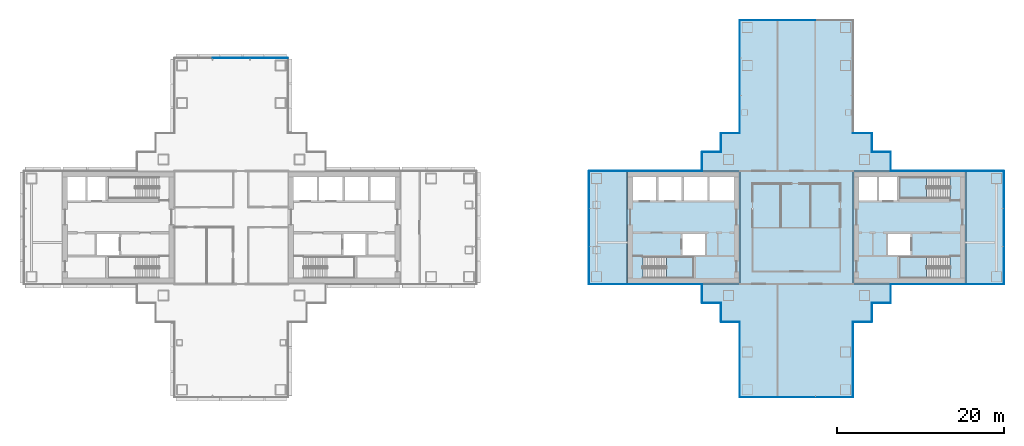
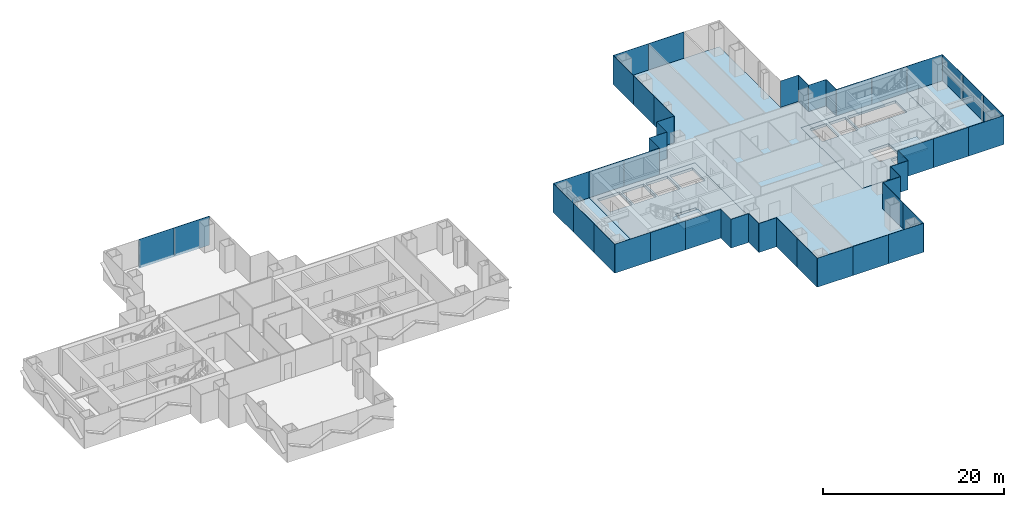
# One storey, part 10 of 18: 48 plates, 8 slabs, 23 elements without a shape of their own.
"""IFC4 building model written with IfcOpenShell, lengths in metres."""

from ifc_helpers import new_model, si_unit, direction, frame, origin, origin_2d, place, context, subcontext, project, spatial, polyline, rectangle, outline, extrude, material, layer, layer_set, type_object, element, aggregate, save


model = new_model("IFC4")

# Units and contexts
model_context = context("Model", 3, precision=1e-05, world=origin(), true_north=direction((0.0, 1.0)))
body_context = subcontext(model_context, "Body", "Model", "MODEL_VIEW")
ifc_project = project(units=[si_unit("LENGTHUNIT", "METRE"), si_unit("AREAUNIT", "SQUARE_METRE"), si_unit("VOLUMEUNIT", "CUBIC_METRE"), si_unit("PLANEANGLEUNIT", "RADIAN"), si_unit("MASSUNIT", "GRAM", prefix="KILO")], contexts=[model_context])

# Site, building, storey
site_placement = place(None, origin())
site = spatial("IfcSite", under=ifc_project, at=site_placement, CompositionType="ELEMENT")
building_placement = place(site_placement, origin())
building = spatial("IfcBuilding", under=site, at=building_placement, Name="Shamsa Quay Exchange Towers", CompositionType="ELEMENT")
storey_placement = place(building_placement, frame((0.0, 0.0, 117.0)))
storey = spatial("IfcBuildingStorey", under=building, at=storey_placement, Name="L27", CompositionType="ELEMENT", Elevation=117.0)

# Slabs
ifc_material_1 = material(Name="Concrete C50/60", Category="concrete")
ifc_layer_1 = layer(ifc_material_1, 0.35009765625)
ifc_layer_set_1 = layer_set([ifc_layer_1], Name="CORE FLOOR 350 C50/60")
slab_type_1 = type_object("IfcSlabType", Name="CORE FLOOR 350 C50/60", PredefinedType="FLOOR", material=ifc_layer_set_1)
slab_1_placement = place(storey_placement, frame((0.0, 0.0, -0.35009765625)))
element("IfcSlab", 1, at=slab_1_placement, inside=storey, type_object=slab_type_1, Name="Core floor T2A", PredefinedType="FLOOR", context=body_context, shape_type="SweptSolid", body=[
    extrude(outline(polyline([(13.5, -6.75), (27.0, -6.75), (27.0, 6.75), (13.5, 6.75), (13.5, -6.75)]), holes=[polyline([(15.400634765625, -6.050048828125), (15.400634765625, -3.5), (21.5, -3.5), (21.5, -6.050048828125), (15.400634765625, -6.050048828125)]), polyline([(14.199951171875, 3.25), (14.199951171875, 6.050048828125), (17.0, 6.050048828125), (17.0, 3.25), (14.199951171875, 3.25)]), polyline([(17.25, 3.25), (17.25, 6.050048828125), (20.050048828125, 6.050048828125), (20.050048828125, 3.25), (17.25, 3.25)]), polyline([(20.300048828125, 3.25), (20.300048828125, 6.050048828125), (23.10009765625, 6.050048828125), (23.10009765625, 3.25), (20.300048828125, 3.25)]), polyline([(23.35009765625, 3.25), (23.35009765625, 6.050048828125), (26.300048828125, 6.050048828125), (26.300048828125, 3.25), (23.35009765625, 3.25)]), polyline([(20.14990234375, -3.25), (20.14990234375, -0.75), (22.800048828125, -0.75), (22.800048828125, -3.25), (20.14990234375, -3.25)])]), origin(), (0.0, 0.0, 1.0), 0.35009765625),
])
slab_2_placement = place(storey_placement, frame((0.0, 0.0, -0.35009765625)))
element("IfcSlab", 2, at=slab_2_placement, inside=storey, type_object=slab_type_1, Name="Core floor T2B", PredefinedType="FLOOR", context=body_context, shape_type="SweptSolid", body=[
    extrude(outline(polyline([(54.0, -6.75), (54.0, 6.75), (40.5, 6.75), (40.5, -6.75), (54.0, -6.75)]), holes=[polyline([(52.099365234375, -3.5), (52.099365234375, -6.050048828125), (46.0, -6.050048828125), (46.0, -3.5), (52.099365234375, -3.5)]), polyline([(52.099365234375, 6.050048828125), (52.099365234375, 3.5), (46.0, 3.5), (46.0, 6.050048828125), (52.099365234375, 6.050048828125)]), polyline([(45.75, 3.25), (43.60009765625, 3.25), (43.60009765625, 6.050048828125), (45.75, 6.050048828125), (45.75, 3.25)]), polyline([(43.35009765625, 3.25), (41.199951171875, 3.25), (41.199951171875, 6.050048828125), (43.35009765625, 6.050048828125), (43.35009765625, 3.25)]), polyline([(47.35009765625, -3.25), (44.699951171875, -3.25), (44.699951171875, -0.75), (47.35009765625, -0.75), (47.35009765625, -3.25)])]), origin(), (0.0, 0.0, 1.0), 0.35009765625),
])

# Stair, slab
ifc_material_2 = material(Name="Concrete C40/50", Category="concrete")
stair_type = type_object("IfcStairType", Name="EXIT STAIR 22 RISERS 177 MM", PredefinedType="HALF_TURN_STAIR", material=ifc_material_2)
stair_1_placement = place(storey_placement, origin())
stair_1 = element("IfcStair", 3, at=stair_1_placement, inside=storey, type_object=stair_type, Name="L27 Exit stair ST4", PredefinedType="HALF_TURN_STAIR")
ifc_layer_2 = layer(ifc_material_2, 0.199951171875)
ifc_layer_set_2 = layer_set([ifc_layer_2], Name="CORE STAIR LANDING")
slab_type_2 = type_object("IfcSlabType", Name="CORE STAIR LANDING", PredefinedType="LANDING", material=ifc_layer_set_2)
slab_3_placement = place(storey_placement, frame((0.0, 0.0, 1.75)))
slab_3 = element("IfcSlab", 4, at=slab_3_placement, type_object=slab_type_2, Name="ST4 landing 1", PredefinedType="LANDING", context=body_context, shape_type="SweptSolid", body=[
    extrude(outline(polyline([(18.199951171875, -6.050048828125), (21.5, -6.050048828125), (21.5, -3.5), (18.199951171875, -3.5), (18.199951171875, -6.050048828125)])), origin(), (0.0, 0.0, 1.0), 0.199951171875),
])
aggregate(stair_1, [slab_3])

stair_2_placement = place(storey_placement, origin())
stair_2 = element("IfcStair", 5, at=stair_2_placement, inside=storey, type_object=stair_type, Name="L27 Exit stair ST5", PredefinedType="HALF_TURN_STAIR")
slab_4_placement = place(storey_placement, frame((0.0, 0.0, 1.75)))
slab_4 = element("IfcSlab", 6, at=slab_4_placement, type_object=slab_type_2, Name="ST5 landing 1", PredefinedType="LANDING", context=body_context, shape_type="SweptSolid", body=[
    extrude(outline(polyline([(49.300048828125, -3.5), (46.0, -3.5), (46.0, -6.050048828125), (49.300048828125, -6.050048828125), (49.300048828125, -3.5)])), origin(), (0.0, 0.0, 1.0), 0.199951171875),
])
aggregate(stair_2, [slab_4])

stair_3_placement = place(storey_placement, origin())
stair_3 = element("IfcStair", 7, at=stair_3_placement, inside=storey, type_object=stair_type, Name="L27 Exit stair ST6", PredefinedType="HALF_TURN_STAIR")
slab_5_placement = place(storey_placement, frame((0.0, 0.0, 1.75)))
slab_5 = element("IfcSlab", 8, at=slab_5_placement, type_object=slab_type_2, Name="ST6 landing 1", PredefinedType="LANDING", context=body_context, shape_type="SweptSolid", body=[
    extrude(outline(polyline([(49.300048828125, 6.050048828125), (46.0, 6.050048828125), (46.0, 3.5), (49.300048828125, 3.5), (49.300048828125, 6.050048828125)])), origin(), (0.0, 0.0, 1.0), 0.199951171875),
])
aggregate(stair_3, [slab_5])

# Curtain wall, plates
ifc_material_3 = material(Name="Aluminium EN AW-6063 T6, black anodised", Category="aluminium")
ifc_layer_3 = layer(ifc_material_3, 0.280029296875)
ifc_layer_set_3 = layer_set([ifc_layer_3], Name="CW-1 UNITISED VISION GLASS")
curtain_wall_type_1 = type_object("IfcCurtainWallType", Name="CW-1 UNITISED VISION GLASS", PredefinedType="NOTDEFINED", material=ifc_layer_set_3)
curtain_wall_1_placement = place(storey_placement, origin())
curtain_wall_1 = element("IfcCurtainWall", 9, at=curtain_wall_1_placement, inside=storey, type_object=curtain_wall_type_1, Name="CW1 T1-END-V+ L27", PredefinedType="NOTDEFINED")
ifc_material_4 = material(Name="Glass, laminated, dark tinted", Category="glass")
ifc_layer_4 = layer(ifc_material_4, 0.0400390625)
ifc_layer_set_4 = layer_set([ifc_layer_4], Name="CW-1 VISION GLASS 40")
plate_type_1 = type_object("IfcPlateType", Name="CW-1 VISION GLASS 40", PredefinedType="CURTAIN_PANEL", material=ifc_layer_set_4)
plate_1_placement = place(storey_placement, frame((-29.24755859375, 20.27001953125, -0.349853515625), z_axis=(0.0, 0.0, 1.0), x_axis=(-1.0, 0.0, 0.0)))
plate_1 = element("IfcPlate", 10, at=plate_1_placement, type_object=plate_type_1, Name="CW1 glass panel", PredefinedType="CURTAIN_PANEL", context=body_context, shape_type="SweptSolid", body=[
    extrude(rectangle(XDim=4.4951171875, YDim=0.0400390625, at=origin_2d()), origin(), (0.0, 0.0, 1.0), 3.89990234375),
])
plate_2_placement = place(storey_placement, frame((-33.75, 20.27001953125, -0.349853515625), z_axis=(0.0, 0.0, 1.0), x_axis=(-1.0, 0.0, 0.0)))
plate_2 = element("IfcPlate", 11, at=plate_2_placement, type_object=plate_type_1, Name="CW1 glass panel", PredefinedType="CURTAIN_PANEL", context=body_context, shape_type="SweptSolid", body=[
    extrude(rectangle(XDim=4.489990234375, YDim=0.0400390625, at=origin_2d()), origin(), (0.0, 0.0, 1.0), 3.89990234375),
])
aggregate(curtain_wall_1, [plate_1, plate_2])

# Curtain wall, plate
curtain_wall_2_placement = place(storey_placement, origin())
curtain_wall_2 = element("IfcCurtainWall", 12, at=curtain_wall_2_placement, inside=storey, type_object=curtain_wall_type_1, Name="CW1 T2-FLK-V-W L27", PredefinedType="NOTDEFINED")
plate_3_placement = place(storey_placement, frame((56.25, -6.77001953125, -0.349853515625)))
plate_3 = element("IfcPlate", 13, at=plate_3_placement, type_object=plate_type_1, Name="CW1 glass panel", PredefinedType="CURTAIN_PANEL", context=body_context, shape_type="SweptSolid", body=[
    extrude(rectangle(XDim=4.5, YDim=0.0400390625, at=origin_2d()), origin(), (0.0, 0.0, 1.0), 3.89990234375),
])
aggregate(curtain_wall_2, [plate_3])

# Curtain wall, plates
curtain_wall_3_placement = place(storey_placement, origin())
curtain_wall_3 = element("IfcCurtainWall", 14, at=curtain_wall_3_placement, inside=storey, type_object=curtain_wall_type_1, Name="CW1 T2-END-V- L27", PredefinedType="NOTDEFINED")
plate_4_placement = place(storey_placement, frame((58.52001953125, -4.50244140625, -0.349853515625), z_axis=(0.0, 0.0, 1.0), x_axis=(0.0, 1.0, 0.0)))
plate_4 = element("IfcPlate", 15, at=plate_4_placement, type_object=plate_type_1, Name="CW1 glass panel", PredefinedType="CURTAIN_PANEL", context=body_context, shape_type="SweptSolid", body=[
    extrude(rectangle(XDim=4.4951171875, YDim=0.0400390625, at=origin_2d()), origin(), (0.0, 0.0, 1.0), 3.89990234375),
])
plate_5_placement = place(storey_placement, frame((58.52001953125, 0.0, -0.349853515625), z_axis=(0.0, 0.0, 1.0), x_axis=(0.0, 1.0, 0.0)))
plate_5 = element("IfcPlate", 16, at=plate_5_placement, type_object=plate_type_1, Name="CW1 glass panel", PredefinedType="CURTAIN_PANEL", context=body_context, shape_type="SweptSolid", body=[
    extrude(rectangle(XDim=4.489990234375, YDim=0.0400390625, at=origin_2d()), origin(), (0.0, 0.0, 1.0), 3.89990234375),
])
plate_6_placement = place(storey_placement, frame((58.52001953125, 4.50244140625, -0.349853515625), z_axis=(0.0, 0.0, 1.0), x_axis=(0.0, 1.0, 0.0)))
plate_6 = element("IfcPlate", 17, at=plate_6_placement, type_object=plate_type_1, Name="CW1 glass panel", PredefinedType="CURTAIN_PANEL", context=body_context, shape_type="SweptSolid", body=[
    extrude(rectangle(XDim=4.4951171875, YDim=0.0400390625, at=origin_2d()), origin(), (0.0, 0.0, 1.0), 3.89990234375),
])
aggregate(curtain_wall_3, [plate_4, plate_5, plate_6])

# Curtain wall, plate
curtain_wall_4_placement = place(storey_placement, origin())
curtain_wall_4 = element("IfcCurtainWall", 18, at=curtain_wall_4_placement, inside=storey, type_object=curtain_wall_type_1, Name="CW1 T2-FLK-V-E L27", PredefinedType="NOTDEFINED")
plate_7_placement = place(storey_placement, frame((56.25, 6.77001953125, -0.349853515625), z_axis=(0.0, 0.0, 1.0), x_axis=(-1.0, 0.0, 0.0)))
plate_7 = element("IfcPlate", 19, at=plate_7_placement, type_object=plate_type_1, Name="CW1 glass panel", PredefinedType="CURTAIN_PANEL", context=body_context, shape_type="SweptSolid", body=[
    extrude(rectangle(XDim=4.5, YDim=0.0400390625, at=origin_2d()), origin(), (0.0, 0.0, 1.0), 3.89990234375),
])
aggregate(curtain_wall_4, [plate_7])

# Curtain wall, plates
curtain_wall_5_placement = place(storey_placement, origin())
curtain_wall_5 = element("IfcCurtainWall", 20, at=curtain_wall_5_placement, inside=storey, type_object=curtain_wall_type_1, Name="CW1 T2-END-U+ L27", PredefinedType="NOTDEFINED")
plate_8_placement = place(storey_placement, frame((33.75, 24.77001953125, -0.349853515625), z_axis=(0.0, 0.0, 1.0), x_axis=(-1.0, 0.0, 0.0)))
plate_8 = element("IfcPlate", 21, at=plate_8_placement, type_object=plate_type_1, Name="CW1 glass panel", PredefinedType="CURTAIN_PANEL", context=body_context, shape_type="SweptSolid", body=[
    extrude(rectangle(XDim=4.489990234375, YDim=0.0400390625, at=origin_2d()), origin(), (0.0, 0.0, 1.0), 3.89990234375),
])
plate_9_placement = place(storey_placement, frame((29.24755859375, 24.77001953125, -0.349853515625), z_axis=(0.0, 0.0, 1.0), x_axis=(-1.0, 0.0, 0.0)))
plate_9 = element("IfcPlate", 22, at=plate_9_placement, type_object=plate_type_1, Name="CW1 glass panel", PredefinedType="CURTAIN_PANEL", context=body_context, shape_type="SweptSolid", body=[
    extrude(rectangle(XDim=4.4951171875, YDim=0.0400390625, at=origin_2d()), origin(), (0.0, 0.0, 1.0), 3.89990234375),
])
aggregate(curtain_wall_5, [plate_8, plate_9])

curtain_wall_6_placement = place(storey_placement, origin())
curtain_wall_6 = element("IfcCurtainWall", 23, at=curtain_wall_6_placement, inside=storey, type_object=curtain_wall_type_1, Name="CW1 T2-FLK-U+N L27", PredefinedType="NOTDEFINED")
plate_10_placement = place(storey_placement, frame((26.97998046875, 22.50244140625, -0.349853515625), z_axis=(0.0, 0.0, 1.0), x_axis=(0.0, -1.0, 0.0)))
plate_10 = element("IfcPlate", 24, at=plate_10_placement, type_object=plate_type_1, Name="CW1 glass panel", PredefinedType="CURTAIN_PANEL", context=body_context, shape_type="SweptSolid", body=[
    extrude(rectangle(XDim=4.4951171875, YDim=0.0400390625, at=origin_2d()), origin(), (0.0, 0.0, 1.0), 3.89990234375),
])
plate_11_placement = place(storey_placement, frame((26.97998046875, 18.0, -0.349853515625), z_axis=(0.0, 0.0, 1.0), x_axis=(0.0, -1.0, 0.0)))
plate_11 = element("IfcPlate", 25, at=plate_11_placement, type_object=plate_type_1, Name="CW1 glass panel", PredefinedType="CURTAIN_PANEL", context=body_context, shape_type="SweptSolid", body=[
    extrude(rectangle(XDim=4.489990234375, YDim=0.0400390625, at=origin_2d()), origin(), (0.0, 0.0, 1.0), 3.89990234375),
])
plate_12_placement = place(storey_placement, frame((26.97998046875, 13.49755859375, -0.349853515625), z_axis=(0.0, 0.0, 1.0), x_axis=(0.0, -1.0, 0.0)))
plate_12 = element("IfcPlate", 26, at=plate_12_placement, type_object=plate_type_1, Name="CW1 glass panel", PredefinedType="CURTAIN_PANEL", context=body_context, shape_type="SweptSolid", body=[
    extrude(rectangle(XDim=4.4951171875, YDim=0.0400390625, at=origin_2d()), origin(), (0.0, 0.0, 1.0), 3.89990234375),
])
aggregate(curtain_wall_6, [plate_10, plate_11, plate_12])

# Curtain wall, plate
curtain_wall_7_placement = place(storey_placement, origin())
curtain_wall_7 = element("IfcCurtainWall", 27, at=curtain_wall_7_placement, inside=storey, type_object=curtain_wall_type_1, Name="CW1 T2-FLK-V+E L27", PredefinedType="NOTDEFINED")
plate_13_placement = place(storey_placement, frame((11.25, 6.77001953125, -0.349853515625), z_axis=(0.0, 0.0, 1.0), x_axis=(-1.0, 0.0, 0.0)))
plate_13 = element("IfcPlate", 28, at=plate_13_placement, type_object=plate_type_1, Name="CW1 glass panel", PredefinedType="CURTAIN_PANEL", context=body_context, shape_type="SweptSolid", body=[
    extrude(rectangle(XDim=4.5, YDim=0.0400390625, at=origin_2d()), origin(), (0.0, 0.0, 1.0), 3.89990234375),
])
aggregate(curtain_wall_7, [plate_13])

# Curtain wall, plates
curtain_wall_8_placement = place(storey_placement, origin())
curtain_wall_8 = element("IfcCurtainWall", 29, at=curtain_wall_8_placement, inside=storey, type_object=curtain_wall_type_1, Name="CW1 T2-END-V+ L27", PredefinedType="NOTDEFINED")
plate_14_placement = place(storey_placement, frame((8.97998046875, 4.50244140625, -0.349853515625), z_axis=(0.0, 0.0, 1.0), x_axis=(0.0, -1.0, 0.0)))
plate_14 = element("IfcPlate", 30, at=plate_14_placement, type_object=plate_type_1, Name="CW1 glass panel", PredefinedType="CURTAIN_PANEL", context=body_context, shape_type="SweptSolid", body=[
    extrude(rectangle(XDim=4.4951171875, YDim=0.0400390625, at=origin_2d()), origin(), (0.0, 0.0, 1.0), 3.89990234375),
])
plate_15_placement = place(storey_placement, frame((8.97998046875, 0.0, -0.349853515625), z_axis=(0.0, 0.0, 1.0), x_axis=(0.0, -1.0, 0.0)))
plate_15 = element("IfcPlate", 31, at=plate_15_placement, type_object=plate_type_1, Name="CW1 glass panel", PredefinedType="CURTAIN_PANEL", context=body_context, shape_type="SweptSolid", body=[
    extrude(rectangle(XDim=4.489990234375, YDim=0.0400390625, at=origin_2d()), origin(), (0.0, 0.0, 1.0), 3.89990234375),
])
plate_16_placement = place(storey_placement, frame((8.97998046875, -4.50244140625, -0.349853515625), z_axis=(0.0, 0.0, 1.0), x_axis=(0.0, -1.0, 0.0)))
plate_16 = element("IfcPlate", 32, at=plate_16_placement, type_object=plate_type_1, Name="CW1 glass panel", PredefinedType="CURTAIN_PANEL", context=body_context, shape_type="SweptSolid", body=[
    extrude(rectangle(XDim=4.4951171875, YDim=0.0400390625, at=origin_2d()), origin(), (0.0, 0.0, 1.0), 3.89990234375),
])
aggregate(curtain_wall_8, [plate_14, plate_15, plate_16])

# Curtain wall, plate
curtain_wall_9_placement = place(storey_placement, origin())
curtain_wall_9 = element("IfcCurtainWall", 33, at=curtain_wall_9_placement, inside=storey, type_object=curtain_wall_type_1, Name="CW1 T2-FLK-V+W L27", PredefinedType="NOTDEFINED")
plate_17_placement = place(storey_placement, frame((11.25, -6.77001953125, -0.349853515625)))
plate_17 = element("IfcPlate", 34, at=plate_17_placement, type_object=plate_type_1, Name="CW1 glass panel", PredefinedType="CURTAIN_PANEL", context=body_context, shape_type="SweptSolid", body=[
    extrude(rectangle(XDim=4.5, YDim=0.0400390625, at=origin_2d()), origin(), (0.0, 0.0, 1.0), 3.89990234375),
])
aggregate(curtain_wall_9, [plate_17])

# Curtain wall, plates
curtain_wall_10_placement = place(storey_placement, origin())
curtain_wall_10 = element("IfcCurtainWall", 35, at=curtain_wall_10_placement, inside=storey, type_object=curtain_wall_type_1, Name="CW1 T2-FLK-U-N L27", PredefinedType="NOTDEFINED")
plate_18_placement = place(storey_placement, frame((26.97998046875, -13.52587890625, -0.349853515625), z_axis=(0.0, 0.0, 1.0), x_axis=(0.0, -1.0, 0.0)))
plate_18 = element("IfcPlate", 36, at=plate_18_placement, type_object=plate_type_1, Name="CW1 glass panel", PredefinedType="CURTAIN_PANEL", context=body_context, shape_type="SweptSolid", body=[
    extrude(rectangle(XDim=4.47607421875, YDim=0.0400390625, at=origin_2d()), origin(), (0.0, 0.0, 1.0), 3.89990234375),
])
plate_19_placement = place(storey_placement, frame((26.97998046875, -18.011962890625, -0.349853515625), z_axis=(0.0, 0.0, 1.0), x_axis=(0.0, -1.0, 0.0)))
plate_19 = element("IfcPlate", 37, at=plate_19_placement, type_object=plate_type_1, Name="CW1 glass panel", PredefinedType="CURTAIN_PANEL", context=body_context, shape_type="SweptSolid", body=[
    extrude(rectangle(XDim=4.47607421875, YDim=0.0400390625, at=origin_2d()), origin(), (0.0, 0.0, 1.0), 3.89990234375),
])
aggregate(curtain_wall_10, [plate_18, plate_19])

curtain_wall_11_placement = place(storey_placement, origin())
curtain_wall_11 = element("IfcCurtainWall", 38, at=curtain_wall_11_placement, inside=storey, type_object=curtain_wall_type_1, Name="CW1 T2-END-U- L27", PredefinedType="NOTDEFINED")
plate_20_placement = place(storey_placement, frame((29.24755859375, -20.27001953125, -0.349853515625)))
plate_20 = element("IfcPlate", 39, at=plate_20_placement, type_object=plate_type_1, Name="CW1 glass panel", PredefinedType="CURTAIN_PANEL", context=body_context, shape_type="SweptSolid", body=[
    extrude(rectangle(XDim=4.4951171875, YDim=0.0400390625, at=origin_2d()), origin(), (0.0, 0.0, 1.0), 3.89990234375),
])
plate_21_placement = place(storey_placement, frame((33.75, -20.27001953125, -0.349853515625)))
plate_21 = element("IfcPlate", 40, at=plate_21_placement, type_object=plate_type_1, Name="CW1 glass panel", PredefinedType="CURTAIN_PANEL", context=body_context, shape_type="SweptSolid", body=[
    extrude(rectangle(XDim=4.489990234375, YDim=0.0400390625, at=origin_2d()), origin(), (0.0, 0.0, 1.0), 3.89990234375),
])
plate_22_placement = place(storey_placement, frame((38.25244140625, -20.27001953125, -0.349853515625)))
plate_22 = element("IfcPlate", 41, at=plate_22_placement, type_object=plate_type_1, Name="CW1 glass panel", PredefinedType="CURTAIN_PANEL", context=body_context, shape_type="SweptSolid", body=[
    extrude(rectangle(XDim=4.4951171875, YDim=0.0400390625, at=origin_2d()), origin(), (0.0, 0.0, 1.0), 3.89990234375),
])
aggregate(curtain_wall_11, [plate_20, plate_21, plate_22])

curtain_wall_12_placement = place(storey_placement, origin())
curtain_wall_12 = element("IfcCurtainWall", 42, at=curtain_wall_12_placement, inside=storey, type_object=curtain_wall_type_1, Name="CW1 T2-FLK-U-S L27", PredefinedType="NOTDEFINED")
plate_23_placement = place(storey_placement, frame((40.52001953125, -18.00244140625, -0.349853515625), z_axis=(0.0, 0.0, 1.0), x_axis=(0.0, 1.0, 0.0)))
plate_23 = element("IfcPlate", 43, at=plate_23_placement, type_object=plate_type_1, Name="CW1 glass panel", PredefinedType="CURTAIN_PANEL", context=body_context, shape_type="SweptSolid", body=[
    extrude(rectangle(XDim=4.4951171875, YDim=0.0400390625, at=origin_2d()), origin(), (0.0, 0.0, 1.0), 3.89990234375),
])
plate_24_placement = place(storey_placement, frame((40.52001953125, -13.49755859375, -0.349853515625), z_axis=(0.0, 0.0, 1.0), x_axis=(0.0, 1.0, 0.0)))
plate_24 = element("IfcPlate", 44, at=plate_24_placement, type_object=plate_type_1, Name="CW1 glass panel", PredefinedType="CURTAIN_PANEL", context=body_context, shape_type="SweptSolid", body=[
    extrude(rectangle(XDim=4.4951171875, YDim=0.0400390625, at=origin_2d()), origin(), (0.0, 0.0, 1.0), 3.89990234375),
])
aggregate(curtain_wall_12, [plate_23, plate_24])

ifc_layer_5 = layer(ifc_material_3, 0.303955078125)
ifc_layer_set_5 = layer_set([ifc_layer_5], Name="CW-2 UNITISED OPAQUE SPANDREL GLASS")
curtain_wall_type_2 = type_object("IfcCurtainWallType", Name="CW-2 UNITISED OPAQUE SPANDREL GLASS", PredefinedType="NOTDEFINED", material=ifc_layer_set_5)
curtain_wall_13_placement = place(storey_placement, origin())
curtain_wall_13 = element("IfcCurtainWall", 45, at=curtain_wall_13_placement, inside=storey, type_object=curtain_wall_type_2, Name="CW2 T2-FLK-V-W L27", PredefinedType="NOTDEFINED")
ifc_material_5 = material(Name="Glass, laminated, black enamelled opaque", Category="glass")
ifc_layer_6 = layer(ifc_material_5, 0.0439453125)
ifc_layer_set_6 = layer_set([ifc_layer_6], Name="CW-2 SPANDREL GLASS 44")
plate_type_2 = type_object("IfcPlateType", Name="CW-2 SPANDREL GLASS 44", PredefinedType="CURTAIN_PANEL", material=ifc_layer_set_6)
plate_25_placement = place(storey_placement, frame((47.27587890625, -6.77197265625, -0.349853515625)))
plate_25 = element("IfcPlate", 46, at=plate_25_placement, type_object=plate_type_2, Name="CW2 glass panel", PredefinedType="CURTAIN_PANEL", context=body_context, shape_type="SweptSolid", body=[
    extrude(rectangle(XDim=4.47607421875, YDim=0.0439453125, at=origin_2d()), origin(), (0.0, 0.0, 1.0), 3.89990234375),
])
plate_26_placement = place(storey_placement, frame((51.761962890625, -6.77197265625, -0.349853515625)))
plate_26 = element("IfcPlate", 47, at=plate_26_placement, type_object=plate_type_2, Name="CW2 glass panel", PredefinedType="CURTAIN_PANEL", context=body_context, shape_type="SweptSolid", body=[
    extrude(rectangle(XDim=4.47607421875, YDim=0.0439453125, at=origin_2d()), origin(), (0.0, 0.0, 1.0), 3.89990234375),
])
aggregate(curtain_wall_13, [plate_25, plate_26])

curtain_wall_14_placement = place(storey_placement, origin())
curtain_wall_14 = element("IfcCurtainWall", 48, at=curtain_wall_14_placement, inside=storey, type_object=curtain_wall_type_2, Name="CW2 T2-FLK-V-E L27", PredefinedType="NOTDEFINED")
plate_27_placement = place(storey_placement, frame((51.75244140625, 6.77197265625, -0.349853515625), z_axis=(0.0, 0.0, 1.0), x_axis=(-1.0, 0.0, 0.0)))
plate_27 = element("IfcPlate", 49, at=plate_27_placement, type_object=plate_type_2, Name="CW2 glass panel", PredefinedType="CURTAIN_PANEL", context=body_context, shape_type="SweptSolid", body=[
    extrude(rectangle(XDim=4.4951171875, YDim=0.0439453125, at=origin_2d()), origin(), (0.0, 0.0, 1.0), 3.89990234375),
])
plate_28_placement = place(storey_placement, frame((47.24755859375, 6.77197265625, -0.349853515625), z_axis=(0.0, 0.0, 1.0), x_axis=(-1.0, 0.0, 0.0)))
plate_28 = element("IfcPlate", 50, at=plate_28_placement, type_object=plate_type_2, Name="CW2 glass panel", PredefinedType="CURTAIN_PANEL", context=body_context, shape_type="SweptSolid", body=[
    extrude(rectangle(XDim=4.4951171875, YDim=0.0439453125, at=origin_2d()), origin(), (0.0, 0.0, 1.0), 3.89990234375),
])
aggregate(curtain_wall_14, [plate_27, plate_28])

curtain_wall_15_placement = place(storey_placement, origin())
curtain_wall_15 = element("IfcCurtainWall", 51, at=curtain_wall_15_placement, inside=storey, type_object=curtain_wall_type_2, Name="CW2 T2-FLK-V+E L27", PredefinedType="NOTDEFINED")
plate_29_placement = place(storey_placement, frame((20.22412109375, 6.77197265625, -0.349853515625), z_axis=(0.0, 0.0, 1.0), x_axis=(-1.0, 0.0, 0.0)))
plate_29 = element("IfcPlate", 52, at=plate_29_placement, type_object=plate_type_2, Name="CW2 glass panel", PredefinedType="CURTAIN_PANEL", context=body_context, shape_type="SweptSolid", body=[
    extrude(rectangle(XDim=4.47607421875, YDim=0.0439453125, at=origin_2d()), origin(), (0.0, 0.0, 1.0), 3.89990234375),
])
plate_30_placement = place(storey_placement, frame((15.738037109375, 6.77197265625, -0.349853515625), z_axis=(0.0, 0.0, 1.0), x_axis=(-1.0, 0.0, 0.0)))
plate_30 = element("IfcPlate", 53, at=plate_30_placement, type_object=plate_type_2, Name="CW2 glass panel", PredefinedType="CURTAIN_PANEL", context=body_context, shape_type="SweptSolid", body=[
    extrude(rectangle(XDim=4.47607421875, YDim=0.0439453125, at=origin_2d()), origin(), (0.0, 0.0, 1.0), 3.89990234375),
])
aggregate(curtain_wall_15, [plate_29, plate_30])

curtain_wall_16_placement = place(storey_placement, origin())
curtain_wall_16 = element("IfcCurtainWall", 54, at=curtain_wall_16_placement, inside=storey, type_object=curtain_wall_type_2, Name="CW2 T2-FLK-V+W L27", PredefinedType="NOTDEFINED")
plate_31_placement = place(storey_placement, frame((15.74755859375, -6.77197265625, -0.349853515625)))
plate_31 = element("IfcPlate", 55, at=plate_31_placement, type_object=plate_type_2, Name="CW2 glass panel", PredefinedType="CURTAIN_PANEL", context=body_context, shape_type="SweptSolid", body=[
    extrude(rectangle(XDim=4.4951171875, YDim=0.0439453125, at=origin_2d()), origin(), (0.0, 0.0, 1.0), 3.89990234375),
])
plate_32_placement = place(storey_placement, frame((20.25244140625, -6.77197265625, -0.349853515625)))
plate_32 = element("IfcPlate", 56, at=plate_32_placement, type_object=plate_type_2, Name="CW2 glass panel", PredefinedType="CURTAIN_PANEL", context=body_context, shape_type="SweptSolid", body=[
    extrude(rectangle(XDim=4.4951171875, YDim=0.0439453125, at=origin_2d()), origin(), (0.0, 0.0, 1.0), 3.89990234375),
])
aggregate(curtain_wall_16, [plate_31, plate_32])

ifc_layer_7 = layer(ifc_material_3, 0.256103515625)
ifc_layer_set_7 = layer_set([ifc_layer_7], Name="CW-4 POCKET SERRATED GLAZING")
curtain_wall_type_3 = type_object("IfcCurtainWallType", Name="CW-4 POCKET SERRATED GLAZING", PredefinedType="NOTDEFINED", material=ifc_layer_set_7)
curtain_wall_17_placement = place(storey_placement, origin())
curtain_wall_17 = element("IfcCurtainWall", 57, at=curtain_wall_17_placement, inside=storey, type_object=curtain_wall_type_3, Name="CW4 PKWS L27", PredefinedType="NOTDEFINED")
ifc_layer_8 = layer(ifc_material_4, 0.035888671875)
ifc_layer_set_8 = layer_set([ifc_layer_8], Name="CW-4 POCKET GLASS 36")
plate_type_3 = type_object("IfcPlateType", Name="CW-4 POCKET GLASS 36", PredefinedType="CURTAIN_PANEL", material=ifc_layer_set_8)
plate_33_placement = place(storey_placement, frame((43.89404296875, -9.01806640625, -0.349853515625)))
plate_33 = element("IfcPlate", 58, at=plate_33_placement, type_object=plate_type_3, Name="CW4 glass panel", PredefinedType="CURTAIN_PANEL", context=body_context, shape_type="SweptSolid", body=[
    extrude(rectangle(XDim=2.2119140625, YDim=0.035888671875, at=origin_2d()), origin(), (0.0, 0.0, 1.0), 3.89990234375),
])
plate_34_placement = place(storey_placement, frame((45.01806640625, -7.875, -0.349853515625), z_axis=(0.0, 0.0, 1.0), x_axis=(0.0, 1.0, 0.0)))
plate_34 = element("IfcPlate", 59, at=plate_34_placement, type_object=plate_type_3, Name="CW4 glass panel", PredefinedType="CURTAIN_PANEL", context=body_context, shape_type="SweptSolid", body=[
    extrude(rectangle(XDim=2.25, YDim=0.035888671875, at=origin_2d()), origin(), (0.0, 0.0, 1.0), 3.89990234375),
])
plate_35_placement = place(storey_placement, frame((41.64599609375, -11.26806640625, -0.349853515625)))
plate_35 = element("IfcPlate", 60, at=plate_35_placement, type_object=plate_type_3, Name="CW4 glass panel", PredefinedType="CURTAIN_PANEL", context=body_context, shape_type="SweptSolid", body=[
    extrude(rectangle(XDim=2.2080078125, YDim=0.035888671875, at=origin_2d()), origin(), (0.0, 0.0, 1.0), 3.89990234375),
])
plate_36_placement = place(storey_placement, frame((42.76806640625, -10.125, -0.349853515625), z_axis=(0.0, 0.0, 1.0), x_axis=(0.0, 1.0, 0.0)))
plate_36 = element("IfcPlate", 61, at=plate_36_placement, type_object=plate_type_3, Name="CW4 glass panel", PredefinedType="CURTAIN_PANEL", context=body_context, shape_type="SweptSolid", body=[
    extrude(rectangle(XDim=2.25, YDim=0.035888671875, at=origin_2d()), origin(), (0.0, 0.0, 1.0), 3.89990234375),
])
aggregate(curtain_wall_17, [plate_33, plate_34, plate_35, plate_36])

curtain_wall_18_placement = place(storey_placement, origin())
curtain_wall_18 = element("IfcCurtainWall", 62, at=curtain_wall_18_placement, inside=storey, type_object=curtain_wall_type_3, Name="CW4 PKES L27", PredefinedType="NOTDEFINED")
plate_37_placement = place(storey_placement, frame((45.01806640625, 7.89794921875, -0.349853515625), z_axis=(0.0, 0.0, 1.0), x_axis=(0.0, 1.0, 0.0)))
plate_37 = element("IfcPlate", 63, at=plate_37_placement, type_object=plate_type_3, Name="CW4 glass panel", PredefinedType="CURTAIN_PANEL", context=body_context, shape_type="SweptSolid", body=[
    extrude(rectangle(XDim=2.2041015625, YDim=0.035888671875, at=origin_2d()), origin(), (0.0, 0.0, 1.0), 3.89990234375),
])
plate_38_placement = place(storey_placement, frame((43.875, 9.01806640625, -0.349853515625), z_axis=(0.0, 0.0, 1.0), x_axis=(-1.0, 0.0, 0.0)))
plate_38 = element("IfcPlate", 64, at=plate_38_placement, type_object=plate_type_3, Name="CW4 glass panel", PredefinedType="CURTAIN_PANEL", context=body_context, shape_type="SweptSolid", body=[
    extrude(rectangle(XDim=2.25, YDim=0.035888671875, at=origin_2d()), origin(), (0.0, 0.0, 1.0), 3.89990234375),
])
plate_39_placement = place(storey_placement, frame((42.76806640625, 10.14404296875, -0.349853515625), z_axis=(0.0, 0.0, 1.0), x_axis=(0.0, 1.0, 0.0)))
plate_39 = element("IfcPlate", 65, at=plate_39_placement, type_object=plate_type_3, Name="CW4 glass panel", PredefinedType="CURTAIN_PANEL", context=body_context, shape_type="SweptSolid", body=[
    extrude(rectangle(XDim=2.2119140625, YDim=0.035888671875, at=origin_2d()), origin(), (0.0, 0.0, 1.0), 3.89990234375),
])
plate_40_placement = place(storey_placement, frame((41.625, 11.26806640625, -0.349853515625), z_axis=(0.0, 0.0, 1.0), x_axis=(-1.0, 0.0, 0.0)))
plate_40 = element("IfcPlate", 66, at=plate_40_placement, type_object=plate_type_3, Name="CW4 glass panel", PredefinedType="CURTAIN_PANEL", context=body_context, shape_type="SweptSolid", body=[
    extrude(rectangle(XDim=2.25, YDim=0.035888671875, at=origin_2d()), origin(), (0.0, 0.0, 1.0), 3.89990234375),
])
aggregate(curtain_wall_18, [plate_37, plate_38, plate_39, plate_40])

curtain_wall_19_placement = place(storey_placement, origin())
curtain_wall_19 = element("IfcCurtainWall", 67, at=curtain_wall_19_placement, inside=storey, type_object=curtain_wall_type_3, Name="CW4 PKEN L27", PredefinedType="NOTDEFINED")
plate_41_placement = place(storey_placement, frame((25.85400390625, 11.26806640625, -0.349853515625), z_axis=(0.0, 0.0, 1.0), x_axis=(-1.0, 0.0, 0.0)))
plate_41 = element("IfcPlate", 68, at=plate_41_placement, type_object=plate_type_3, Name="CW4 glass panel", PredefinedType="CURTAIN_PANEL", context=body_context, shape_type="SweptSolid", body=[
    extrude(rectangle(XDim=2.2080078125, YDim=0.035888671875, at=origin_2d()), origin(), (0.0, 0.0, 1.0), 3.89990234375),
])
plate_42_placement = place(storey_placement, frame((24.73193359375, 10.125, -0.349853515625), z_axis=(0.0, 0.0, 1.0), x_axis=(0.0, -1.0, 0.0)))
plate_42 = element("IfcPlate", 69, at=plate_42_placement, type_object=plate_type_3, Name="CW4 glass panel", PredefinedType="CURTAIN_PANEL", context=body_context, shape_type="SweptSolid", body=[
    extrude(rectangle(XDim=2.25, YDim=0.035888671875, at=origin_2d()), origin(), (0.0, 0.0, 1.0), 3.89990234375),
])
plate_43_placement = place(storey_placement, frame((23.60595703125, 9.01806640625, -0.349853515625), z_axis=(0.0, 0.0, 1.0), x_axis=(-1.0, 0.0, 0.0)))
plate_43 = element("IfcPlate", 70, at=plate_43_placement, type_object=plate_type_3, Name="CW4 glass panel", PredefinedType="CURTAIN_PANEL", context=body_context, shape_type="SweptSolid", body=[
    extrude(rectangle(XDim=2.2119140625, YDim=0.035888671875, at=origin_2d()), origin(), (0.0, 0.0, 1.0), 3.89990234375),
])
plate_44_placement = place(storey_placement, frame((22.48193359375, 7.875, -0.349853515625), z_axis=(0.0, 0.0, 1.0), x_axis=(0.0, -1.0, 0.0)))
plate_44 = element("IfcPlate", 71, at=plate_44_placement, type_object=plate_type_3, Name="CW4 glass panel", PredefinedType="CURTAIN_PANEL", context=body_context, shape_type="SweptSolid", body=[
    extrude(rectangle(XDim=2.25, YDim=0.035888671875, at=origin_2d()), origin(), (0.0, 0.0, 1.0), 3.89990234375),
])
aggregate(curtain_wall_19, [plate_41, plate_42, plate_43, plate_44])

curtain_wall_20_placement = place(storey_placement, origin())
curtain_wall_20 = element("IfcCurtainWall", 72, at=curtain_wall_20_placement, inside=storey, type_object=curtain_wall_type_3, Name="CW4 PKWN L27", PredefinedType="NOTDEFINED")
plate_45_placement = place(storey_placement, frame((22.48193359375, -7.89794921875, -0.349853515625), z_axis=(0.0, 0.0, 1.0), x_axis=(0.0, -1.0, 0.0)))
plate_45 = element("IfcPlate", 73, at=plate_45_placement, type_object=plate_type_3, Name="CW4 glass panel", PredefinedType="CURTAIN_PANEL", context=body_context, shape_type="SweptSolid", body=[
    extrude(rectangle(XDim=2.2041015625, YDim=0.035888671875, at=origin_2d()), origin(), (0.0, 0.0, 1.0), 3.89990234375),
])
plate_46_placement = place(storey_placement, frame((23.625, -9.01806640625, -0.349853515625)))
plate_46 = element("IfcPlate", 74, at=plate_46_placement, type_object=plate_type_3, Name="CW4 glass panel", PredefinedType="CURTAIN_PANEL", context=body_context, shape_type="SweptSolid", body=[
    extrude(rectangle(XDim=2.25, YDim=0.035888671875, at=origin_2d()), origin(), (0.0, 0.0, 1.0), 3.89990234375),
])
plate_47_placement = place(storey_placement, frame((24.73193359375, -10.14404296875, -0.349853515625), z_axis=(0.0, 0.0, 1.0), x_axis=(0.0, -1.0, 0.0)))
plate_47 = element("IfcPlate", 75, at=plate_47_placement, type_object=plate_type_3, Name="CW4 glass panel", PredefinedType="CURTAIN_PANEL", context=body_context, shape_type="SweptSolid", body=[
    extrude(rectangle(XDim=2.2119140625, YDim=0.035888671875, at=origin_2d()), origin(), (0.0, 0.0, 1.0), 3.89990234375),
])
plate_48_placement = place(storey_placement, frame((25.875, -11.26806640625, -0.349853515625)))
plate_48 = element("IfcPlate", 76, at=plate_48_placement, type_object=plate_type_3, Name="CW4 glass panel", PredefinedType="CURTAIN_PANEL", context=body_context, shape_type="SweptSolid", body=[
    extrude(rectangle(XDim=2.25, YDim=0.035888671875, at=origin_2d()), origin(), (0.0, 0.0, 1.0), 3.89990234375),
])
aggregate(curtain_wall_20, [plate_45, plate_46, plate_47, plate_48])

# Slabs
ifc_layer_9 = layer(ifc_material_2, 0.35009765625)
ifc_layer_set_9 = layer_set([ifc_layer_9], Name="Flat slab 350")
slab_type_3 = type_object("IfcSlabType", Name="Flat slab 350", PredefinedType="FLOOR", material=ifc_layer_set_9)
slab_6_placement = place(storey_placement, frame((0.0, 0.0, -0.35009765625)))
element("IfcSlab", 77, at=slab_6_placement, inside=storey, type_object=slab_type_3, Name="Flat slab T2 L27 4", PredefinedType="FLOOR", context=body_context, shape_type="SweptSolid", body=[
    extrude(outline(polyline([(9.0, -6.75), (13.5, -6.75), (13.5, 6.75), (9.0, 6.75), (9.0, -6.75)])), origin(), (0.0, 0.0, 1.0), 0.35009765625),
])
slab_7_placement = place(storey_placement, frame((0.0, 0.0, -0.35009765625)))
element("IfcSlab", 78, at=slab_7_placement, inside=storey, type_object=slab_type_3, Name="Flat slab T2 L27 5", PredefinedType="FLOOR", context=body_context, shape_type="SweptSolid", body=[
    extrude(outline(polyline([(45.0, -9.0), (45.0, -6.75), (40.5, -6.75), (40.5, 6.75), (45.0, 6.75), (45.0, 9.0), (42.75, 9.0), (42.75, 11.25), (40.5, 11.25), (40.5, 24.75), (27.0, 24.75), (27.0, 11.25), (24.75, 11.25), (24.75, 9.0), (22.5, 9.0), (22.5, 6.75), (27.0, 6.75), (27.0, -6.75), (22.5, -6.75), (22.5, -9.0), (24.75, -9.0), (24.75, -11.25), (27.0, -11.25), (27.0, -20.25), (40.5, -20.25), (40.5, -11.25), (42.75, -11.25), (42.75, -9.0), (45.0, -9.0)])), origin(), (0.0, 0.0, 1.0), 0.35009765625),
])
slab_8_placement = place(storey_placement, frame((0.0, 0.0, -0.35009765625)))
element("IfcSlab", 79, at=slab_8_placement, inside=storey, type_object=slab_type_3, Name="Flat slab T2 L27 6", PredefinedType="FLOOR", context=body_context, shape_type="SweptSolid", body=[
    extrude(outline(polyline([(58.5, 6.75), (54.0, 6.75), (54.0, -6.75), (58.5, -6.75), (58.5, 6.75)])), origin(), (0.0, 0.0, 1.0), 0.35009765625),
])

save(model, "model.ifc")
